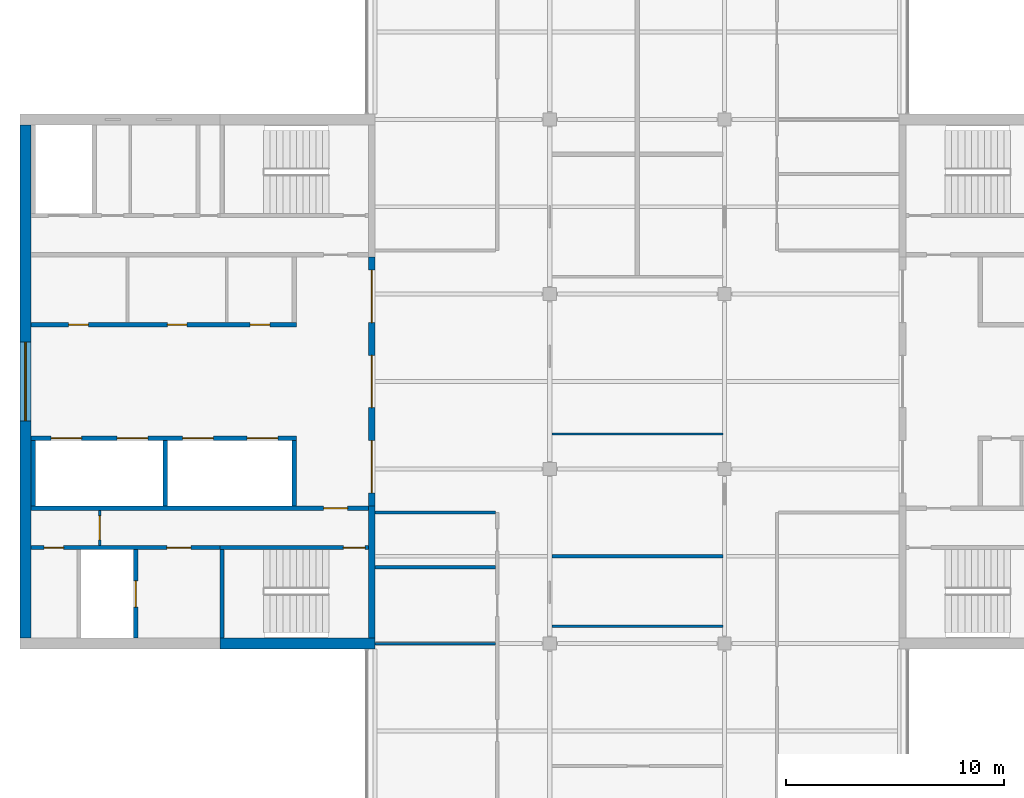
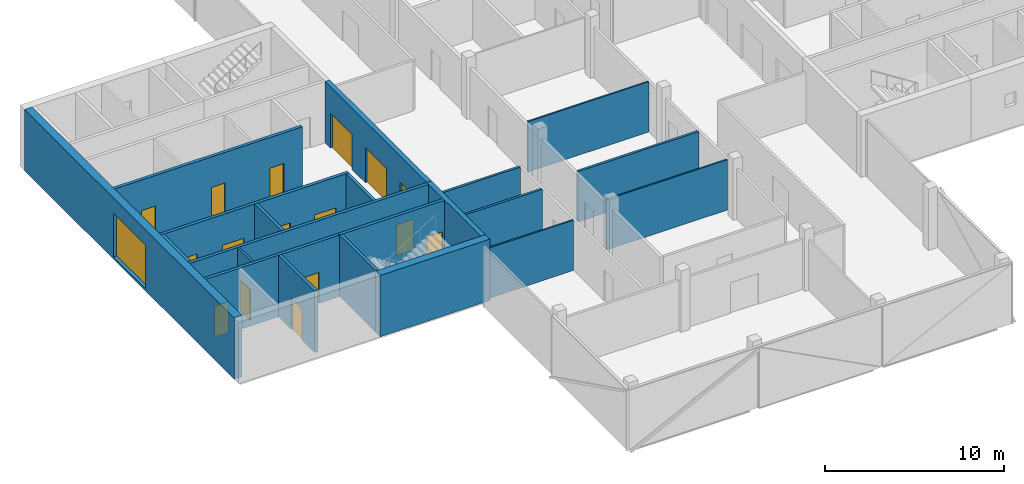
# One storey, part 9 of 16: 21 walls, 16 doors, 1 window, 17 openings.
"""IFC4 building model written with IfcOpenShell, lengths in metres."""

from ifc_helpers import new_model, si_unit, direction, frame, frame_2d, origin, place, context, subcontext, project, spatial, rectangle, extrude, material, layer, layer_set, constituent, constituent_set, type_object, element, fill, save


model = new_model("IFC4")

# Units and contexts
model_context = context("Model", 3, precision=1e-05, world=origin(), true_north=direction((0.0, 1.0)))
body_context = subcontext(model_context, "Body", "Model", "MODEL_VIEW")
ifc_project = project(units=[si_unit("LENGTHUNIT", "METRE"), si_unit("AREAUNIT", "SQUARE_METRE"), si_unit("VOLUMEUNIT", "CUBIC_METRE"), si_unit("PLANEANGLEUNIT", "RADIAN"), si_unit("MASSUNIT", "GRAM", prefix="KILO")], contexts=[model_context])

# Site, building, storey
site_placement = place(None, origin())
site = spatial("IfcSite", under=ifc_project, at=site_placement, CompositionType="ELEMENT")
building_placement = place(site_placement, origin())
building = spatial("IfcBuilding", under=site, at=building_placement, Name="Crosswind Convention Tower", CompositionType="ELEMENT")
storey_placement = place(building_placement, frame((0.0, 0.0, 295.5)))
storey = spatial("IfcBuildingStorey", under=building, at=storey_placement, Name="L64", CompositionType="ELEMENT", Elevation=295.5)

# Wall, openings, doors
ifc_material_1 = material(Name="Concrete C50/60", Category="concrete")
ifc_layer_1 = layer(ifc_material_1, 0.300048828125)
ifc_layer_set_1 = layer_set([ifc_layer_1], Name="Concrete C50/60")
wall_type_1 = type_object("IfcWallType", Name="Concrete inner core wall 300", PredefinedType="SHEAR", material=ifc_layer_set_1)
wall_1_placement = place(storey_placement, frame((112.85009765625, 105.699951171875, 0.0), z_axis=(0.0, 0.0, 1.0), x_axis=(0.0, -1.0, 0.0)))
wall_1 = element("IfcWall", 1, at=wall_1_placement, inside=storey, type_object=wall_type_1, Name="Wall SCR W L64", PredefinedType="SHEAR", context=body_context, shape_type="SweptSolid", body=[
    extrude(rectangle(XDim=11.39990234375, YDim=0.300048828125, at=frame_2d((5.699951171875, 0.0))), origin(), (0.0, 0.0, 1.0), 4.199951171875),
])
opening_1_placement = place(wall_1_placement, frame((0.60009765625, 0.0, 0.0)))
opening_1 = element("IfcOpeningElement", 2, at=opening_1_placement, cuts=wall_1, Name="Opening D100", PredefinedType="OPENING", context=body_context, shape_type="SweptSolid", body=[
    extrude(rectangle(XDim=2.39990234375, YDim=2.39990234375, at=frame_2d((1.199951171875, 1.199951171875))), frame((0.0, 0.159912109375, 0.0), z_axis=(0.0, -1.0, 0.0), x_axis=(1.0, 0.0, 0.0)), (0.0, 0.0, 1.0), 0.320068359375),
])
opening_2_placement = place(wall_1_placement, frame((4.5, 0.0, 0.0)))
opening_2 = element("IfcOpeningElement", 3, at=opening_2_placement, cuts=wall_1, Name="Opening D100", PredefinedType="OPENING", context=body_context, shape_type="SweptSolid", body=[
    extrude(rectangle(XDim=2.39990234375, YDim=2.39990234375, at=frame_2d((1.199951171875, 1.199951171875))), frame((0.0, 0.159912109375, 0.0), z_axis=(0.0, -1.0, 0.0), x_axis=(1.0, 0.0, 0.0)), (0.0, 0.0, 1.0), 0.320068359375),
])
opening_3_placement = place(wall_1_placement, frame((8.39990234375, 0.0, 0.0)))
opening_3 = element("IfcOpeningElement", 4, at=opening_3_placement, cuts=wall_1, Name="Opening D100", PredefinedType="OPENING", context=body_context, shape_type="SweptSolid", body=[
    extrude(rectangle(XDim=2.39990234375, YDim=2.39990234375, at=frame_2d((1.199951171875, 1.199951171875))), frame((0.0, 0.159912109375, 0.0), z_axis=(0.0, -1.0, 0.0), x_axis=(1.0, 0.0, 0.0)), (0.0, 0.0, 1.0), 0.320068359375),
])
ifc_material_2 = material(Name="Steel fire door with glazed vision panels", Category="steel")
door_type_1 = type_object("IfcDoorType", Name="Fire-rated double door 2400x2400", OperationType="DOUBLE_DOOR_SINGLE_SWING", PredefinedType="DOOR", material=ifc_material_2)
door_1_placement = place(opening_1_placement, origin())
door_1 = element("IfcDoor", 5, at=door_1_placement, inside=storey, type_object=door_type_1, Name="Lobby door 1 L64", ObjectType="D100", OperationType="DOUBLE_DOOR_SINGLE_SWING", OverallHeight=2.39990234375, OverallWidth=2.39990234375, PredefinedType="DOOR", context=body_context, shape_type="SweptSolid", body=[
    extrude(rectangle(XDim=2.39990234375, YDim=2.39990234375, at=frame_2d((1.199951171875, 1.199951171875))), frame((0.0, 0.02490234375, 0.0), z_axis=(0.0, -1.0, 0.0), x_axis=(1.0, 0.0, 0.0)), (0.0, 0.0, 1.0), 0.050048828125),
])
fill(opening_1, door_1)
door_2_placement = place(opening_2_placement, origin())
door_2 = element("IfcDoor", 6, at=door_2_placement, inside=storey, type_object=door_type_1, Name="Lobby door 2 L64", ObjectType="D100", OperationType="DOUBLE_DOOR_SINGLE_SWING", OverallHeight=2.39990234375, OverallWidth=2.39990234375, PredefinedType="DOOR", context=body_context, shape_type="SweptSolid", body=[
    extrude(rectangle(XDim=2.39990234375, YDim=2.39990234375, at=frame_2d((1.199951171875, 1.199951171875))), frame((0.0, 0.02490234375, 0.0), z_axis=(0.0, -1.0, 0.0), x_axis=(1.0, 0.0, 0.0)), (0.0, 0.0, 1.0), 0.050048828125),
])
fill(opening_2, door_2)
door_3_placement = place(opening_3_placement, origin())
door_3 = element("IfcDoor", 7, at=door_3_placement, inside=storey, type_object=door_type_1, Name="Lobby door 3 L64", ObjectType="D100", OperationType="DOUBLE_DOOR_SINGLE_SWING", OverallHeight=2.39990234375, OverallWidth=2.39990234375, PredefinedType="DOOR", context=body_context, shape_type="SweptSolid", body=[
    extrude(rectangle(XDim=2.39990234375, YDim=2.39990234375, at=frame_2d((1.199951171875, 1.199951171875))), frame((0.0, 0.02490234375, 0.0), z_axis=(0.0, -1.0, 0.0), x_axis=(1.0, 0.0, 0.0)), (0.0, 0.0, 1.0), 0.050048828125),
])
fill(opening_3, door_3)

# Walls
wall_2_placement = place(storey_placement, frame((112.85009765625, 94.300048828125, 0.0), z_axis=(0.0, 0.0, 1.0), x_axis=(0.0, -1.0, 0.0)))
element("IfcWall", 8, at=wall_2_placement, inside=storey, type_object=wall_type_1, Name="Wall EP W L64", PredefinedType="SHEAR", context=body_context, shape_type="SweptSolid", body=[
    extrude(rectangle(XDim=6.050048828125, YDim=0.300048828125, at=frame_2d((3.02490234375, 0.0))), origin(), (0.0, 0.0, 1.0), 4.199951171875),
])
ifc_layer_2 = layer(ifc_material_1, 0.199951171875)
ifc_layer_set_2 = layer_set([ifc_layer_2], Name="Concrete C50/60")
wall_type_2 = type_object("IfcWallType", Name="Concrete shaft and stair wall 200", PredefinedType="SHEAR", material=ifc_layer_set_2)
for number, where, z_axis, x_axis, name in (
    (9, (109.300048828125, 97.300048828125, 0.0), (0.0, 0.0, 1.0), (0.0, -1.0, 0.0), "Wall RPEND W L64"),
    (10, (103.39990234375, 97.300048828125, 0.0), (0.0, 0.0, 1.0), (0.0, -1.0, 0.0), "Wall RPSEP W L64"),
    (11, (97.35009765625, 97.300048828125, 0.0), (0.0, 0.0, 1.0), (0.0, -1.0, 0.0), "Wall RPEAST W L64"),
):
    element("IfcWall", number, at=place(storey_placement, frame(where, z_axis=z_axis, x_axis=x_axis)), inside=storey, type_object=wall_type_2, Name=name, PredefinedType="SHEAR", context=body_context, shape_type="SweptSolid", body=[
        extrude(rectangle(XDim=3.0, YDim=0.199951171875, at=frame_2d((1.5, 0.0))), origin(), (0.0, 0.0, 1.0), 4.199951171875),
    ])

# Wall, openings, doors
wall_3_placement = place(storey_placement, frame((109.39990234375, 97.39990234375, 0.0), z_axis=(0.0, 0.0, 1.0), x_axis=(-1.0, 0.0, 0.0)))
wall_3 = element("IfcWall", 12, at=wall_3_placement, inside=storey, type_object=wall_type_2, Name="Wall RPFRONT W L64", PredefinedType="SHEAR", context=body_context, shape_type="SweptSolid", body=[
    extrude(rectangle(XDim=12.14990234375, YDim=0.199951171875, at=frame_2d((6.074951171875, 0.0))), origin(), (0.0, 0.0, 1.0), 4.199951171875),
])
opening_4_placement = place(wall_3_placement, frame((0.85009765625, 0.0, 0.0)))
opening_4 = element("IfcOpeningElement", 13, at=opening_4_placement, cuts=wall_3, Name="Opening LD2", PredefinedType="OPENING", context=body_context, shape_type="SweptSolid", body=[
    extrude(rectangle(XDim=1.39990234375, YDim=2.10009765625, at=frame_2d((0.699951171875, 1.050048828125))), frame((0.0, 0.10986328125, 0.0), z_axis=(0.0, -1.0, 0.0), x_axis=(1.0, 0.0, 0.0)), (0.0, 0.0, 1.0), 0.219970703125),
])
opening_5_placement = place(wall_3_placement, frame((3.800048828125, 0.0, 0.0)))
opening_5 = element("IfcOpeningElement", 14, at=opening_5_placement, cuts=wall_3, Name="Opening LD2", PredefinedType="OPENING", context=body_context, shape_type="SweptSolid", body=[
    extrude(rectangle(XDim=1.39990234375, YDim=2.10009765625, at=frame_2d((0.699951171875, 1.050048828125))), frame((0.0, 0.10986328125, 0.0), z_axis=(0.0, -1.0, 0.0), x_axis=(1.0, 0.0, 0.0)), (0.0, 0.0, 1.0), 0.219970703125),
])
opening_6_placement = place(wall_3_placement, frame((6.800048828125, 0.0, 0.0)))
opening_6 = element("IfcOpeningElement", 15, at=opening_6_placement, cuts=wall_3, Name="Opening LD2", PredefinedType="OPENING", context=body_context, shape_type="SweptSolid", body=[
    extrude(rectangle(XDim=1.39990234375, YDim=2.10009765625, at=frame_2d((0.699951171875, 1.050048828125))), frame((0.0, 0.10986328125, 0.0), z_axis=(0.0, -1.0, 0.0), x_axis=(1.0, 0.0, 0.0)), (0.0, 0.0, 1.0), 0.219970703125),
])
opening_7_placement = place(wall_3_placement, frame((9.824951171875, 0.0, 0.0)))
opening_7 = element("IfcOpeningElement", 16, at=opening_7_placement, cuts=wall_3, Name="Opening LD2", PredefinedType="OPENING", context=body_context, shape_type="SweptSolid", body=[
    extrude(rectangle(XDim=1.39990234375, YDim=2.10009765625, at=frame_2d((0.699951171875, 1.050048828125))), frame((0.0, 0.10986328125, 0.0), z_axis=(0.0, -1.0, 0.0), x_axis=(1.0, 0.0, 0.0)), (0.0, 0.0, 1.0), 0.219970703125),
])
ifc_material_3 = material(Name="Stainless steel", Category="steel")
door_type_2 = type_object("IfcDoorType", Name="Lift landing door 1400x2100", OperationType="DOUBLE_DOOR_SLIDING", PredefinedType="DOOR", material=ifc_material_3)
door_4_placement = place(opening_4_placement, origin())
door_4 = element("IfcDoor", 17, at=door_4_placement, inside=storey, type_object=door_type_2, Name="Landing door HR1 L64", ObjectType="LD2", OperationType="DOUBLE_DOOR_SLIDING", OverallHeight=2.10009765625, OverallWidth=1.39990234375, PredefinedType="DOOR", context=body_context, shape_type="SweptSolid", body=[
    extrude(rectangle(XDim=1.39990234375, YDim=2.10009765625, at=frame_2d((0.699951171875, 1.050048828125))), frame((0.0, 0.02490234375, 0.0), z_axis=(0.0, -1.0, 0.0), x_axis=(1.0, 0.0, 0.0)), (0.0, 0.0, 1.0), 0.050048828125),
])
fill(opening_4, door_4)
door_5_placement = place(opening_5_placement, origin())
door_5 = element("IfcDoor", 18, at=door_5_placement, inside=storey, type_object=door_type_2, Name="Landing door HR2 L64", ObjectType="LD2", OperationType="DOUBLE_DOOR_SLIDING", OverallHeight=2.10009765625, OverallWidth=1.39990234375, PredefinedType="DOOR", context=body_context, shape_type="SweptSolid", body=[
    extrude(rectangle(XDim=1.39990234375, YDim=2.10009765625, at=frame_2d((0.699951171875, 1.050048828125))), frame((0.0, 0.02490234375, 0.0), z_axis=(0.0, -1.0, 0.0), x_axis=(1.0, 0.0, 0.0)), (0.0, 0.0, 1.0), 0.050048828125),
])
fill(opening_5, door_5)
door_6_placement = place(opening_6_placement, origin())
door_6 = element("IfcDoor", 19, at=door_6_placement, inside=storey, type_object=door_type_2, Name="Landing door HR3 L64", ObjectType="LD2", OperationType="DOUBLE_DOOR_SLIDING", OverallHeight=2.10009765625, OverallWidth=1.39990234375, PredefinedType="DOOR", context=body_context, shape_type="SweptSolid", body=[
    extrude(rectangle(XDim=1.39990234375, YDim=2.10009765625, at=frame_2d((0.699951171875, 1.050048828125))), frame((0.0, 0.02490234375, 0.0), z_axis=(0.0, -1.0, 0.0), x_axis=(1.0, 0.0, 0.0)), (0.0, 0.0, 1.0), 0.050048828125),
])
fill(opening_6, door_6)
door_7_placement = place(opening_7_placement, origin())
door_7 = element("IfcDoor", 20, at=door_7_placement, inside=storey, type_object=door_type_2, Name="Landing door HR4 L64", ObjectType="LD2", OperationType="DOUBLE_DOOR_SLIDING", OverallHeight=2.10009765625, OverallWidth=1.39990234375, PredefinedType="DOOR", context=body_context, shape_type="SweptSolid", body=[
    extrude(rectangle(XDim=1.39990234375, YDim=2.10009765625, at=frame_2d((0.699951171875, 1.050048828125))), frame((0.0, 0.02490234375, 0.0), z_axis=(0.0, -1.0, 0.0), x_axis=(1.0, 0.0, 0.0)), (0.0, 0.0, 1.0), 0.050048828125),
])
fill(opening_7, door_7)

wall_4_placement = place(storey_placement, frame((109.39990234375, 102.60009765625, 0.0), z_axis=(0.0, 0.0, 1.0), x_axis=(-1.0, 0.0, 0.0)))
wall_4 = element("IfcWall", 21, at=wall_4_placement, inside=storey, type_object=wall_type_2, Name="Wall RMFRONT W L64", PredefinedType="SHEAR", context=body_context, shape_type="SweptSolid", body=[
    extrude(rectangle(XDim=12.14990234375, YDim=0.199951171875, at=frame_2d((6.074951171875, 0.0))), origin(), (0.0, 0.0, 1.0), 4.199951171875),
])
opening_8_placement = place(wall_4_placement, frame((1.21240234375, 0.0, 0.0)))
opening_8 = element("IfcOpeningElement", 22, at=opening_8_placement, cuts=wall_4, Name="Opening D106", PredefinedType="OPENING", context=body_context, shape_type="SweptSolid", body=[
    extrude(rectangle(XDim=0.89990234375, YDim=2.10009765625, at=frame_2d((0.449951171875, 1.050048828125))), frame((0.0, 0.10986328125, 0.0), z_axis=(0.0, -1.0, 0.0), x_axis=(1.0, 0.0, 0.0)), (0.0, 0.0, 1.0), 0.219970703125),
])
opening_9_placement = place(wall_4_placement, frame((5.008056640625, 0.0, 0.0)))
opening_9 = element("IfcOpeningElement", 23, at=opening_9_placement, cuts=wall_4, Name="Opening D106", PredefinedType="OPENING", context=body_context, shape_type="SweptSolid", body=[
    extrude(rectangle(XDim=0.89990234375, YDim=2.10009765625, at=frame_2d((0.449951171875, 1.050048828125))), frame((0.0, 0.10986328125, 0.0), z_axis=(0.0, -1.0, 0.0), x_axis=(1.0, 0.0, 0.0)), (0.0, 0.0, 1.0), 0.219970703125),
])
opening_10_placement = place(wall_4_placement, frame((9.5205078125, 0.0, 0.0)))
opening_10 = element("IfcOpeningElement", 24, at=opening_10_placement, cuts=wall_4, Name="Opening D106", PredefinedType="OPENING", context=body_context, shape_type="SweptSolid", body=[
    extrude(rectangle(XDim=0.89990234375, YDim=2.10009765625, at=frame_2d((0.449951171875, 1.050048828125))), frame((0.0, 0.10986328125, 0.0), z_axis=(0.0, -1.0, 0.0), x_axis=(1.0, 0.0, 0.0)), (0.0, 0.0, 1.0), 0.219970703125),
])
ifc_material_4 = material(Name="Timber door", Category="wood")
door_type_3 = type_object("IfcDoorType", Name="Single leaf door 900x2100", OperationType="NOTDEFINED", PredefinedType="DOOR", material=ifc_material_4)
door_8_placement = place(opening_8_placement, frame((0.89990234375, 0.0, 0.0), z_axis=(0.0, 0.0, 1.0), x_axis=(-1.0, 0.0, 0.0)))
door_8 = element("IfcDoor", 25, at=door_8_placement, inside=storey, type_object=door_type_3, Name="Door to copy and print room L64", ObjectType="D106", OperationType="SINGLE_SWING_LEFT", OverallHeight=2.10009765625, OverallWidth=0.89990234375, PredefinedType="DOOR", context=body_context, shape_type="SweptSolid", body=[
    extrude(rectangle(XDim=0.89990234375, YDim=2.10009765625, at=frame_2d((0.449951171875, 1.050048828125))), frame((0.0, 0.02490234375, 0.0), z_axis=(0.0, -1.0, 0.0), x_axis=(1.0, 0.0, 0.0)), (0.0, 0.0, 1.0), 0.050048828125),
])
fill(opening_8, door_8)
door_9_placement = place(opening_9_placement, frame((0.89990234375, 0.0, 0.0), z_axis=(0.0, 0.0, 1.0), x_axis=(-1.0, 0.0, 0.0)))
door_9 = element("IfcDoor", 26, at=door_9_placement, inside=storey, type_object=door_type_3, Name="Door to meeting room L64", ObjectType="D106", OperationType="SINGLE_SWING_LEFT", OverallHeight=2.10009765625, OverallWidth=0.89990234375, PredefinedType="DOOR", context=body_context, shape_type="SweptSolid", body=[
    extrude(rectangle(XDim=0.89990234375, YDim=2.10009765625, at=frame_2d((0.449951171875, 1.050048828125))), frame((0.0, 0.02490234375, 0.0), z_axis=(0.0, -1.0, 0.0), x_axis=(1.0, 0.0, 0.0)), (0.0, 0.0, 1.0), 0.050048828125),
])
fill(opening_9, door_9)
door_10_placement = place(opening_10_placement, frame((0.89990234375, 0.0, 0.0), z_axis=(0.0, 0.0, 1.0), x_axis=(-1.0, 0.0, 0.0)))
door_10 = element("IfcDoor", 27, at=door_10_placement, inside=storey, type_object=door_type_3, Name="Door to pantry L64", ObjectType="D106", OperationType="SINGLE_SWING_LEFT", OverallHeight=2.10009765625, OverallWidth=0.89990234375, PredefinedType="DOOR", context=body_context, shape_type="SweptSolid", body=[
    extrude(rectangle(XDim=0.89990234375, YDim=2.10009765625, at=frame_2d((0.449951171875, 1.050048828125))), frame((0.0, 0.02490234375, 0.0), z_axis=(0.0, -1.0, 0.0), x_axis=(1.0, 0.0, 0.0)), (0.0, 0.0, 1.0), 0.050048828125),
])
fill(opening_10, door_10)

# Wall, opening, door
wall_5_placement = place(storey_placement, frame((112.699951171875, 94.199951171875, 0.0), z_axis=(0.0, 0.0, 1.0), x_axis=(-1.0, 0.0, 0.0)))
wall_5 = element("IfcWall", 28, at=wall_5_placement, inside=storey, type_object=wall_type_2, Name="Wall HP W L64", PredefinedType="SHEAR", context=body_context, shape_type="SweptSolid", body=[
    extrude(rectangle(XDim=15.449951171875, YDim=0.199951171875, at=frame_2d((7.72509765625, 0.0))), origin(), (0.0, 0.0, 1.0), 4.199951171875),
])
opening_11_placement = place(wall_5_placement, frame((0.949951171875, 0.0, 0.0)))
opening_11 = element("IfcOpeningElement", 29, at=opening_11_placement, cuts=wall_5, Name="Opening D104", PredefinedType="OPENING", context=body_context, shape_type="SweptSolid", body=[
    extrude(rectangle(XDim=1.10009765625, YDim=2.10009765625, at=frame_2d((0.550048828125, 1.050048828125))), frame((0.0, 0.10986328125, 0.0), z_axis=(0.0, -1.0, 0.0), x_axis=(1.0, 0.0, 0.0)), (0.0, 0.0, 1.0), 0.219970703125),
])
ifc_material_5 = material(Name="Steel fire door", Category="steel")
door_type_4 = type_object("IfcDoorType", Name="Fire-rated single door 1100x2100", OperationType="NOTDEFINED", PredefinedType="DOOR", material=ifc_material_5)
door_11_placement = place(opening_11_placement, origin())
door_11 = element("IfcDoor", 30, at=door_11_placement, inside=storey, type_object=door_type_4, Name="Corridor door L64", ObjectType="D104", OperationType="SINGLE_SWING_LEFT", OverallHeight=2.10009765625, OverallWidth=1.10009765625, PredefinedType="DOOR", context=body_context, shape_type="SweptSolid", body=[
    extrude(rectangle(XDim=1.10009765625, YDim=2.10009765625, at=frame_2d((0.550048828125, 1.050048828125))), frame((0.0, 0.02490234375, 0.0), z_axis=(0.0, -1.0, 0.0), x_axis=(1.0, 0.0, 0.0)), (0.0, 0.0, 1.0), 0.050048828125),
])
fill(opening_11, door_11)

# Wall
wall_6_placement = place(storey_placement, frame((106.0, 92.300048828125, 0.0), z_axis=(0.0, 0.0, 1.0), x_axis=(0.0, -1.0, 0.0)))
element("IfcWall", 31, at=wall_6_placement, inside=storey, type_object=wall_type_2, Name="Wall PSE W L64", PredefinedType="SHEAR", context=body_context, shape_type="SweptSolid", body=[
    extrude(rectangle(XDim=4.050048828125, YDim=0.199951171875, at=frame_2d((2.02490234375, 0.0))), origin(), (0.0, 0.0, 1.0), 4.199951171875),
])

# Wall, opening, door
wall_7_placement = place(storey_placement, frame((102.050048828125, 92.300048828125, 0.0), z_axis=(0.0, 0.0, 1.0), x_axis=(0.0, -1.0, 0.0)))
wall_7 = element("IfcWall", 32, at=wall_7_placement, inside=storey, type_object=wall_type_2, Name="Wall PFLW W L64", PredefinedType="SHEAR", context=body_context, shape_type="SweptSolid", body=[
    extrude(rectangle(XDim=4.050048828125, YDim=0.199951171875, at=frame_2d((2.02490234375, 0.0))), origin(), (0.0, 0.0, 1.0), 4.199951171875),
])
opening_12_placement = place(wall_7_placement, frame((1.425048828125, 0.0, 0.0)))
opening_12 = element("IfcOpeningElement", 33, at=opening_12_placement, cuts=wall_7, Name="Opening LD1", PredefinedType="OPENING", context=body_context, shape_type="SweptSolid", body=[
    extrude(rectangle(XDim=1.199951171875, YDim=2.10009765625, at=frame_2d((0.60009765625, 1.050048828125))), frame((0.0, 0.10986328125, 0.0), z_axis=(0.0, -1.0, 0.0), x_axis=(1.0, 0.0, 0.0)), (0.0, 0.0, 1.0), 0.219970703125),
])
door_type_5 = type_object("IfcDoorType", Name="Lift landing door 1200x2100", OperationType="DOUBLE_DOOR_SLIDING", PredefinedType="DOOR", material=ifc_material_3)
door_12_placement = place(opening_12_placement, origin())
door_12 = element("IfcDoor", 34, at=door_12_placement, inside=storey, type_object=door_type_5, Name="Landing door FF2 L64", ObjectType="LD1", OperationType="DOUBLE_DOOR_SLIDING", OverallHeight=2.10009765625, OverallWidth=1.199951171875, PredefinedType="DOOR", context=body_context, shape_type="SweptSolid", body=[
    extrude(rectangle(XDim=1.199951171875, YDim=2.10009765625, at=frame_2d((0.60009765625, 1.050048828125))), frame((0.0, 0.02490234375, 0.0), z_axis=(0.0, -1.0, 0.0), x_axis=(1.0, 0.0, 0.0)), (0.0, 0.0, 1.0), 0.050048828125),
])
fill(opening_12, door_12)

wall_8_placement = place(storey_placement, frame((112.699951171875, 92.39990234375, 0.0), z_axis=(0.0, 0.0, 1.0), x_axis=(-1.0, 0.0, 0.0)))
wall_8 = element("IfcWall", 35, at=wall_8_placement, inside=storey, type_object=wall_type_2, Name="Wall PCW W L64", PredefinedType="SHEAR", context=body_context, shape_type="SweptSolid", body=[
    extrude(rectangle(XDim=6.800048828125, YDim=0.199951171875, at=frame_2d((3.39990234375, 0.0))), origin(), (0.0, 0.0, 1.0), 4.199951171875),
])
opening_13_placement = place(wall_8_placement, frame((0.14990234375, 0.0, 0.0)))
opening_13 = element("IfcOpeningElement", 36, at=opening_13_placement, cuts=wall_8, Name="Opening D103", PredefinedType="OPENING", context=body_context, shape_type="SweptSolid", body=[
    extrude(rectangle(XDim=1.0, YDim=2.10009765625, at=frame_2d((0.5, 1.050048828125))), frame((0.0, 0.10986328125, 0.0), z_axis=(0.0, -1.0, 0.0), x_axis=(1.0, 0.0, 0.0)), (0.0, 0.0, 1.0), 0.219970703125),
])
door_type_6 = type_object("IfcDoorType", Name="Fire-rated single door 1000x2100", OperationType="NOTDEFINED", PredefinedType="DOOR", material=ifc_material_5)
door_13_placement = place(opening_13_placement, origin())
door_13 = element("IfcDoor", 37, at=door_13_placement, inside=storey, type_object=door_type_6, Name="Stair ST3 door L64", ObjectType="D103", OperationType="SINGLE_SWING_LEFT", OverallHeight=2.10009765625, OverallWidth=1.0, PredefinedType="DOOR", context=body_context, shape_type="SweptSolid", body=[
    extrude(rectangle(XDim=1.0, YDim=2.10009765625, at=frame_2d((0.5, 1.050048828125))), frame((0.0, 0.02490234375, 0.0), z_axis=(0.0, -1.0, 0.0), x_axis=(1.0, 0.0, 0.0)), (0.0, 0.0, 1.0), 0.050048828125),
])
fill(opening_13, door_13)

# Wall, openings, doors
wall_9_placement = place(storey_placement, frame((105.89990234375, 92.39990234375, 0.0), z_axis=(0.0, 0.0, 1.0), x_axis=(-1.0, 0.0, 0.0)))
wall_9 = element("IfcWall", 38, at=wall_9_placement, inside=storey, type_object=wall_type_2, Name="Wall PCX W L64", PredefinedType="SHEAR", context=body_context, shape_type="SweptSolid", body=[
    extrude(rectangle(XDim=8.64990234375, YDim=0.199951171875, at=frame_2d((4.324951171875, 0.0))), origin(), (0.0, 0.0, 1.0), 4.199951171875),
])
opening_14_placement = place(wall_9_placement, frame((1.324951171875, 0.0, 0.0)))
opening_14 = element("IfcOpeningElement", 39, at=opening_14_placement, cuts=wall_9, Name="Opening D104", PredefinedType="OPENING", context=body_context, shape_type="SweptSolid", body=[
    extrude(rectangle(XDim=1.10009765625, YDim=2.10009765625, at=frame_2d((0.550048828125, 1.050048828125))), frame((0.0, 0.10986328125, 0.0), z_axis=(0.0, -1.0, 0.0), x_axis=(1.0, 0.0, 0.0)), (0.0, 0.0, 1.0), 0.219970703125),
])
opening_15_placement = place(wall_9_placement, frame((7.14990234375, 0.0, 0.0)))
opening_15 = element("IfcOpeningElement", 40, at=opening_15_placement, cuts=wall_9, Name="Opening D106", PredefinedType="OPENING", context=body_context, shape_type="SweptSolid", body=[
    extrude(rectangle(XDim=0.89990234375, YDim=2.10009765625, at=frame_2d((0.449951171875, 1.050048828125))), frame((0.0, 0.10986328125, 0.0), z_axis=(0.0, -1.0, 0.0), x_axis=(1.0, 0.0, 0.0)), (0.0, 0.0, 1.0), 0.219970703125),
])
door_14_placement = place(opening_14_placement, origin())
door_14 = element("IfcDoor", 41, at=door_14_placement, inside=storey, type_object=door_type_4, Name="Fire-fighting lobby FF2 door L64", ObjectType="D104", OperationType="SINGLE_SWING_RIGHT", OverallHeight=2.10009765625, OverallWidth=1.10009765625, PredefinedType="DOOR", context=body_context, shape_type="SweptSolid", body=[
    extrude(rectangle(XDim=1.10009765625, YDim=2.10009765625, at=frame_2d((0.550048828125, 1.050048828125))), frame((0.0, 0.02490234375, 0.0), z_axis=(0.0, -1.0, 0.0), x_axis=(1.0, 0.0, 0.0)), (0.0, 0.0, 1.0), 0.050048828125),
])
fill(opening_14, door_14)
door_15_placement = place(opening_15_placement, origin())
door_15 = element("IfcDoor", 42, at=door_15_placement, inside=storey, type_object=door_type_3, Name="Door to telecoms room L64", ObjectType="D106", OperationType="SINGLE_SWING_RIGHT", OverallHeight=2.10009765625, OverallWidth=0.89990234375, PredefinedType="DOOR", context=body_context, shape_type="SweptSolid", body=[
    extrude(rectangle(XDim=0.89990234375, YDim=2.10009765625, at=frame_2d((0.449951171875, 1.050048828125))), frame((0.0, 0.02490234375, 0.0), z_axis=(0.0, -1.0, 0.0), x_axis=(1.0, 0.0, 0.0)), (0.0, 0.0, 1.0), 0.050048828125),
])
fill(opening_15, door_15)

# Wall, opening, door
ifc_material_6 = material(Name="Gypsum plasterboard partition", Category="gypsum")
ifc_layer_3 = layer(ifc_material_6, 0.125)
ifc_layer_set_3 = layer_set([ifc_layer_3], Name="Drywall partition wall 125")
wall_type_3 = type_object("IfcWallType", Name="Drywall partition wall 125", PredefinedType="PARTITIONING", material=ifc_layer_set_3)
wall_10_placement = place(storey_placement, frame((100.39990234375, 94.10009765625, 0.0), z_axis=(0.0, 0.0, 1.0), x_axis=(0.0, -1.0, 0.0)))
wall_10 = element("IfcWall", 43, at=wall_10_placement, inside=storey, type_object=wall_type_3, Name="Wall PXC1 W L64", PredefinedType="PARTITIONING", context=body_context, shape_type="SweptSolid", body=[
    extrude(rectangle(XDim=1.60009765625, YDim=0.125, at=frame_2d((0.800048828125, 0.0))), origin(), (0.0, 0.0, 1.0), 4.199951171875),
])
opening_16_placement = place(wall_10_placement, frame((0.25, 0.0, 0.0)))
opening_16 = element("IfcOpeningElement", 44, at=opening_16_placement, cuts=wall_10, Name="Opening D104", PredefinedType="OPENING", context=body_context, shape_type="SweptSolid", body=[
    extrude(rectangle(XDim=1.10009765625, YDim=2.10009765625, at=frame_2d((0.550048828125, 1.050048828125))), frame((0.0, 0.072509765625, 0.0), z_axis=(0.0, -1.0, 0.0), x_axis=(1.0, 0.0, 0.0)), (0.0, 0.0, 1.0), 0.14501953125),
])
door_16_placement = place(opening_16_placement, origin())
door_16 = element("IfcDoor", 45, at=door_16_placement, inside=storey, type_object=door_type_4, Name="Corridor smoke door L64", ObjectType="D104", OperationType="SINGLE_SWING_RIGHT", OverallHeight=2.10009765625, OverallWidth=1.10009765625, PredefinedType="DOOR", context=body_context, shape_type="SweptSolid", body=[
    extrude(rectangle(XDim=1.10009765625, YDim=2.10009765625, at=frame_2d((0.550048828125, 1.050048828125))), frame((0.0, 0.02490234375, 0.0), z_axis=(0.0, -1.0, 0.0), x_axis=(1.0, 0.0, 0.0)), (0.0, 0.0, 1.0), 0.050048828125),
])
fill(opening_16, door_16)

# Walls
ifc_material_7 = material(Name="Plasterboard partition", Category="gypsum")
ifc_layer_4 = layer(ifc_material_7, 0.10009765625)
ifc_layer_set_4 = layer_set([ifc_layer_4], Name="PARTITION 100 METAL STUD")
wall_type_4 = type_object("IfcWallType", Name="PARTITION 100 METAL STUD", PredefinedType="PARTITIONING", material=ifc_layer_set_4)
wall_11_placement = place(storey_placement, frame((113.0, 88.0, 0.0), z_axis=(0.0, 0.0, 1.0), x_axis=(1.0, 0.0, 0.0)))
element("IfcWall", 46, at=wall_11_placement, inside=storey, type_object=wall_type_4, Name="Partition wall WT40", PredefinedType="PARTITIONING", context=body_context, shape_type="SweptSolid", body=[
    extrude(rectangle(XDim=5.52490234375, YDim=0.10009765625, at=frame_2d((2.762451171875, 0.0))), origin(), (0.0, 0.0, 1.0), 3.44287109375),
])
for number, where, z_axis, x_axis, name in (
    (47, (121.10009765625, 88.800048828125, 0.0), (0.0, 0.0, 1.0), (1.0, 0.0, 0.0), "Partition wall WT40"),
    (48, (121.10009765625, 97.60009765625, 0.0), (0.0, 0.0, 1.0), (1.0, 0.0, 0.0), "Partition wall WT40"),
):
    element("IfcWall", number, at=place(storey_placement, frame(where, z_axis=z_axis, x_axis=x_axis)), inside=storey, type_object=wall_type_4, Name=name, PredefinedType="PARTITIONING", context=body_context, shape_type="SweptSolid", body=[
        extrude(rectangle(XDim=7.824951171875, YDim=0.10009765625, at=frame_2d((3.91259765625, 0.0))), origin(), (0.0, 0.0, 1.0), 3.44287109375),
    ])
ifc_material_8 = material(Name="Fire-board partition with mineral wool", Category="gypsum")
ifc_layer_5 = layer(ifc_material_8, 0.14990234375)
ifc_layer_set_5 = layer_set([ifc_layer_5], Name="TENANCY WALL 150 TWO-HOUR BOARD")
wall_type_5 = type_object("IfcWallType", Name="TENANCY WALL 150 TWO-HOUR BOARD", PredefinedType="PARTITIONING", material=ifc_layer_set_5)
wall_12_placement = place(storey_placement, frame((113.0, 91.5, 0.0), z_axis=(0.0, 0.0, 1.0), x_axis=(1.0, 0.0, 0.0)))
element("IfcWall", 49, at=wall_12_placement, inside=storey, type_object=wall_type_5, Name="Tenancy wall WT41", PredefinedType="PARTITIONING", context=body_context, shape_type="SweptSolid", body=[
    extrude(rectangle(XDim=5.52490234375, YDim=0.14990234375, at=frame_2d((2.762451171875, 0.0))), origin(), (0.0, 0.0, 1.0), 3.44287109375),
])
wall_13_placement = place(storey_placement, frame((121.10009765625, 92.0, 0.0), z_axis=(0.0, 0.0, 1.0), x_axis=(1.0, 0.0, 0.0)))
element("IfcWall", 50, at=wall_13_placement, inside=storey, type_object=wall_type_5, Name="Tenancy wall WT41", PredefinedType="PARTITIONING", context=body_context, shape_type="SweptSolid", body=[
    extrude(rectangle(XDim=7.824951171875, YDim=0.14990234375, at=frame_2d((3.91259765625, 0.0))), origin(), (0.0, 0.0, 1.0), 3.44287109375),
])
wall_14_placement = place(storey_placement, frame((113.0, 94.0, 0.0), z_axis=(0.0, 0.0, 1.0), x_axis=(1.0, 0.0, 0.0)))
element("IfcWall", 51, at=wall_14_placement, inside=storey, type_object=wall_type_5, Name="Tenancy wall WT41", PredefinedType="PARTITIONING", context=body_context, shape_type="SweptSolid", body=[
    extrude(rectangle(XDim=5.52490234375, YDim=0.14990234375, at=frame_2d((2.762451171875, 0.0))), origin(), (0.0, 0.0, 1.0), 3.44287109375),
])
ifc_material_9 = material(Name="Concrete C60/75", Category="concrete")
ifc_constituent_1 = constituent(ifc_material_9, Name="Structure")
ifc_material_10 = material(Name="Terracotta rainscreen", Category="ceramic")
ifc_constituent_2 = constituent(ifc_material_10, Name="Facing")
ifc_constituent_set = constituent_set(constituents=[ifc_constituent_1, ifc_constituent_2], Name="Concrete C60/75, Terracotta rainscreen")
wall_type_6 = type_object("IfcWallType", Name="Terracotta rainscreen on concrete core wall 500", PredefinedType="SHEAR", material=ifc_constituent_set)
wall_15_placement = place(storey_placement, frame((113.0, 88.0, 0.0), z_axis=(0.0, 0.0, 1.0), x_axis=(-1.0, 0.0, 0.0)))
element("IfcWall", 52, at=wall_15_placement, inside=storey, type_object=wall_type_6, Name="Wall N1 W L64", PredefinedType="SHEAR", context=body_context, shape_type="SweptSolid", body=[
    extrude(rectangle(XDim=7.10009765625, YDim=0.5, at=frame_2d((3.550048828125, 0.0))), origin(), (0.0, 0.0, 1.0), 4.199951171875),
])

# Wall, opening, window
wall_16_placement = place(storey_placement, frame((97.0, 111.75, 0.0), z_axis=(0.0, 0.0, 1.0), x_axis=(0.0, -1.0, 0.0)))
wall_16 = element("IfcWall", 53, at=wall_16_placement, inside=storey, type_object=wall_type_6, Name="Wall O W L64", PredefinedType="SHEAR", context=body_context, shape_type="SweptSolid", body=[
    extrude(rectangle(XDim=23.5, YDim=0.5, at=frame_2d((11.75, 0.0))), origin(), (0.0, 0.0, 1.0), 4.199951171875),
])
opening_17_placement = place(wall_16_placement, frame((9.949951171875, 0.0, 0.14990234375)))
opening_17 = element("IfcOpeningElement", 54, at=opening_17_placement, cuts=wall_16, Name="Opening W1", PredefinedType="OPENING", context=body_context, shape_type="SweptSolid", body=[
    extrude(rectangle(XDim=3.60009765625, YDim=3.0, at=frame_2d((1.800048828125, 1.5))), frame((0.0, 0.260009765625, 0.0), z_axis=(0.0, -1.0, 0.0), x_axis=(1.0, 0.0, 0.0)), (0.0, 0.0, 1.0), 0.52001953125),
])
ifc_material_11 = material(Name="Clear laminated glass in aluminium frame", Category="aluminium")
window_type = type_object("IfcWindowType", Name="Lobby end window 3600x3000", PartitioningType="SINGLE_PANEL", PredefinedType="WINDOW", material=ifc_material_11)
window_placement = place(opening_17_placement, origin())
window = element("IfcWindow", 55, at=window_placement, inside=storey, type_object=window_type, Name="Lobby end window L64", ObjectType="W1", OverallHeight=3.0, OverallWidth=3.60009765625, PartitioningType="SINGLE_PANEL", PredefinedType="WINDOW", context=body_context, shape_type="SweptSolid", body=[
    extrude(rectangle(XDim=3.60009765625, YDim=3.0, at=frame_2d((1.800048828125, 1.5))), frame((0.0, 0.030029296875, 0.0), z_axis=(0.0, -1.0, 0.0), x_axis=(1.0, 0.0, 0.0)), (0.0, 0.0, 1.0), 0.06005859375),
])
fill(opening_17, window)

save(model, "model.ifc")
